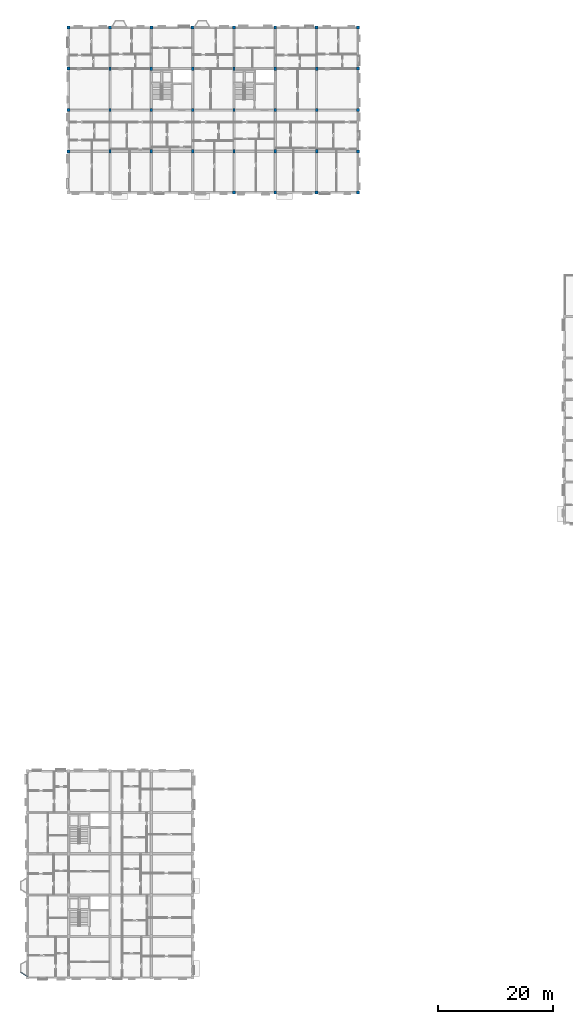
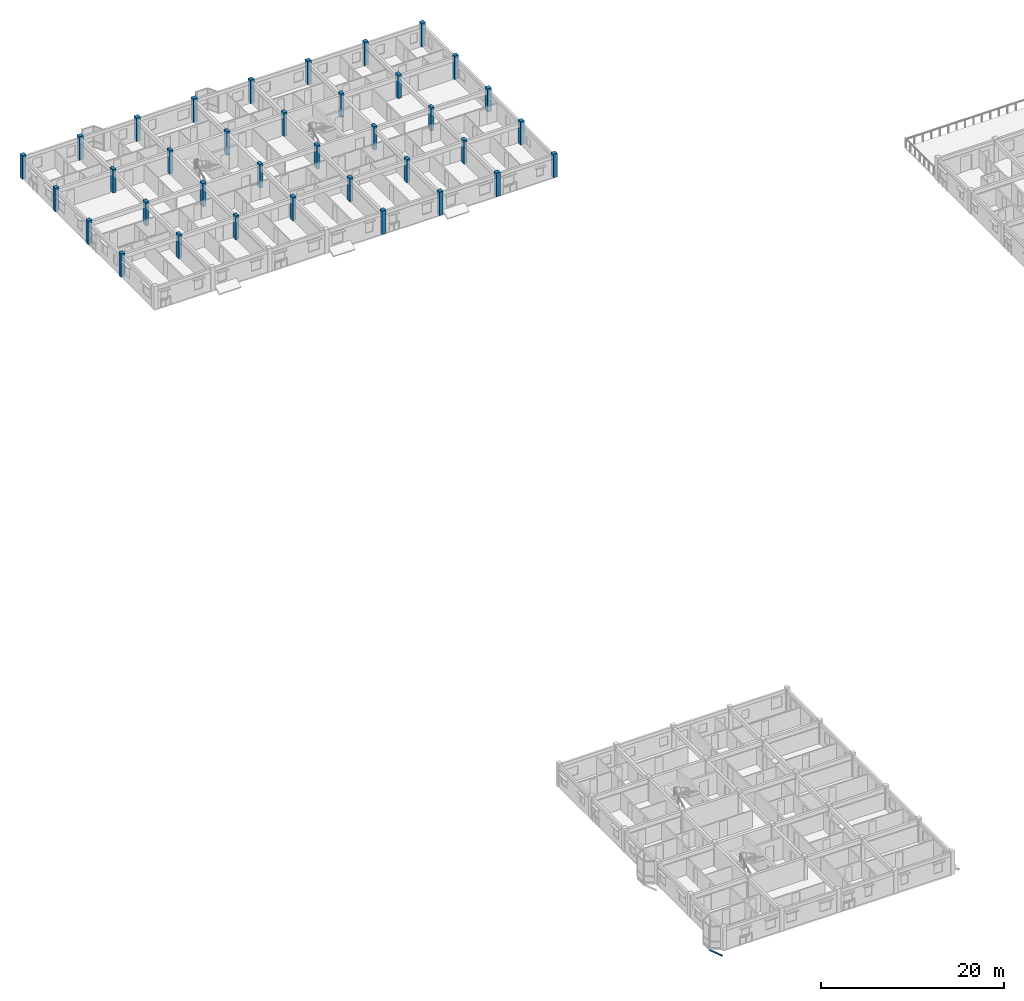
# One storey, part 2 of 38: 36 columns, 1 member.
"""IFC4 building model written with IfcOpenShell, lengths in metres."""

from ifc_helpers import new_model, si_unit, direction, frame, origin, origin_2d, place, context, subcontext, project, spatial, rectangle, hollow_rectangle, extrude, material, material_profile, profile_set, type_object, element, save


model = new_model("IFC4")

# Units and contexts
model_context = context("Model", 3, precision=1e-05, world=origin(), true_north=direction((0.0, 1.0)))
body_context = subcontext(model_context, "Body", "Model", "MODEL_VIEW")
ifc_project = project(units=[si_unit("LENGTHUNIT", "METRE"), si_unit("AREAUNIT", "SQUARE_METRE"), si_unit("VOLUMEUNIT", "CUBIC_METRE"), si_unit("PLANEANGLEUNIT", "RADIAN"), si_unit("MASSUNIT", "GRAM", prefix="KILO"), si_unit("THERMODYNAMICTEMPERATUREUNIT", "KELVIN"), si_unit("POWERUNIT", "WATT")], contexts=[model_context])

# Site, building, storey
site_placement = place(None, origin())
site = spatial("IfcSite", under=ifc_project, at=site_placement, CompositionType="ELEMENT")
building_placement = place(site_placement, origin())
building = spatial("IfcBuilding", under=site, at=building_placement, Name="Tavuni Mirador Residences", CompositionType="ELEMENT")
storey_placement = place(building_placement, frame((0.0, 0.0, 32.85009765625)))
storey = spatial("IfcBuildingStorey", under=building, at=storey_placement, Name="L10", CompositionType="ELEMENT", Elevation=32.85009765625)

# Columns
ifc_material_1 = material(Name="Precast concrete C40/50", Category="concrete")
ifc_material_profile_1 = material_profile(ifc_material_1, rectangle(XDim=0.39990234375, YDim=0.60009765625, at=origin_2d()), Name="RC 400x600", Category="concrete")
ifc_profile_set_1 = profile_set([ifc_material_profile_1], Name="Precast concrete C40/50")
column_type_1 = type_object("IfcColumnType", Name="CT-RC400X600", PredefinedType="COLUMN", material=ifc_profile_set_1)
for number, where, z_axis, x_axis, name in (
    (1, (18.0, 151.199951171875, 0.0), (0.0, 0.0, 1.0), (1.0, 0.0, 0.0), "COL-BLK-C-L10-01-01"),
    (2, (18.0, 158.39990234375, 0.0), (0.0, 0.0, 1.0), (1.0, 0.0, 0.0), "COL-BLK-C-L10-01-02"),
    (3, (18.0, 165.60009765625, 0.0), (0.0, 0.0, 1.0), (1.0, 0.0, 0.0), "COL-BLK-C-L10-01-03"),
    (4, (25.199951171875, 151.199951171875, 0.0), (0.0, 0.0, 1.0), (1.0, 0.0, 0.0), "COL-BLK-C-L10-02-01"),
    (5, (25.199951171875, 158.39990234375, 0.0), (0.0, 0.0, 1.0), (1.0, 0.0, 0.0), "COL-BLK-C-L10-02-02"),
    (6, (25.199951171875, 165.60009765625, 0.0), (0.0, 0.0, 1.0), (1.0, 0.0, 0.0), "COL-BLK-C-L10-02-03"),
    (7, (32.39990234375, 151.199951171875, 0.0), (0.0, 0.0, 1.0), (1.0, 0.0, 0.0), "COL-BLK-C-L10-03-01"),
    (8, (32.39990234375, 158.39990234375, 0.0), (0.0, 0.0, 1.0), (1.0, 0.0, 0.0), "COL-BLK-C-L10-03-02"),
    (9, (32.39990234375, 165.60009765625, 0.0), (0.0, 0.0, 1.0), (1.0, 0.0, 0.0), "COL-BLK-C-L10-03-03"),
    (10, (39.60009765625, 151.199951171875, 0.0), (0.0, 0.0, 1.0), (1.0, 0.0, 0.0), "COL-BLK-C-L10-04-01"),
    (11, (39.60009765625, 158.39990234375, 0.0), (0.0, 0.0, 1.0), (1.0, 0.0, 0.0), "COL-BLK-C-L10-04-02"),
    (12, (39.60009765625, 165.60009765625, 0.0), (0.0, 0.0, 1.0), (1.0, 0.0, 0.0), "COL-BLK-C-L10-04-03"),
    (13, (46.800048828125, 151.199951171875, 0.0), (0.0, 0.0, 1.0), (1.0, 0.0, 0.0), "COL-BLK-C-L10-05-01"),
    (14, (46.800048828125, 158.39990234375, 0.0), (0.0, 0.0, 1.0), (1.0, 0.0, 0.0), "COL-BLK-C-L10-05-02"),
    (15, (46.800048828125, 165.60009765625, 0.0), (0.0, 0.0, 1.0), (1.0, 0.0, 0.0), "COL-BLK-C-L10-05-03"),
    (16, (54.0, 151.199951171875, 0.0), (0.0, 0.0, 1.0), (1.0, 0.0, 0.0), "COL-BLK-C-L10-06-01"),
    (17, (54.0, 158.39990234375, 0.0), (0.0, 0.0, 1.0), (1.0, 0.0, 0.0), "COL-BLK-C-L10-06-02"),
    (18, (54.0, 165.60009765625, 0.0), (0.0, 0.0, 1.0), (1.0, 0.0, 0.0), "COL-BLK-C-L10-06-03"),
):
    element("IfcColumn", number, at=place(storey_placement, frame(where, z_axis=z_axis, x_axis=x_axis)), inside=storey, type_object=column_type_1, Name=name, PredefinedType="COLUMN", context=body_context, shape_type="SweptSolid", body=[
        extrude(rectangle(XDim=0.39990234375, YDim=0.60009765625, at=origin_2d()), origin(), (0.0, 0.0, 1.0), 3.14990234375),
    ])
ifc_material_profile_2 = material_profile(ifc_material_1, rectangle(XDim=0.5, YDim=0.5, at=origin_2d()), Name="RC 500x500", Category="concrete")
ifc_profile_set_2 = profile_set([ifc_material_profile_2], Name="Precast concrete C40/50")
column_type_2 = type_object("IfcColumnType", Name="CT-RC500", PredefinedType="COLUMN", material=ifc_profile_set_2)
for number, where, z_axis, x_axis, name in (
    (19, (10.800048828125, 151.199951171875, 0.0), (0.0, 0.0, 1.0), (1.0, 0.0, 0.0), "COL-BLK-C-L10-00-01"),
    (20, (10.800048828125, 158.39990234375, 0.0), (0.0, 0.0, 1.0), (1.0, 0.0, 0.0), "COL-BLK-C-L10-00-02"),
    (21, (10.800048828125, 165.60009765625, 0.0), (0.0, 0.0, 1.0), (1.0, 0.0, 0.0), "COL-BLK-C-L10-00-03"),
    (22, (10.800048828125, 172.800048828125, 0.0), (0.0, 0.0, 1.0), (1.0, 0.0, 0.0), "COL-BLK-C-L10-00-04"),
    (23, (18.0, 172.800048828125, 0.0), (0.0, 0.0, 1.0), (1.0, 0.0, 0.0), "COL-BLK-C-L10-01-04"),
    (24, (25.199951171875, 172.800048828125, 0.0), (0.0, 0.0, 1.0), (1.0, 0.0, 0.0), "COL-BLK-C-L10-02-04"),
    (25, (32.39990234375, 172.800048828125, 0.0), (0.0, 0.0, 1.0), (1.0, 0.0, 0.0), "COL-BLK-C-L10-03-04"),
    (26, (39.60009765625, 144.0, 0.0), (0.0, 0.0, 1.0), (1.0, 0.0, 0.0), "COL-BLK-C-L10-04-00"),
    (27, (39.60009765625, 172.800048828125, 0.0), (0.0, 0.0, 1.0), (1.0, 0.0, 0.0), "COL-BLK-C-L10-04-04"),
    (28, (46.800048828125, 144.0, 0.0), (0.0, 0.0, 1.0), (1.0, 0.0, 0.0), "COL-BLK-C-L10-05-00"),
    (29, (46.800048828125, 172.800048828125, 0.0), (0.0, 0.0, 1.0), (1.0, 0.0, 0.0), "COL-BLK-C-L10-05-04"),
    (30, (54.0, 144.0, 0.0), (0.0, 0.0, 1.0), (1.0, 0.0, 0.0), "COL-BLK-C-L10-06-00"),
    (31, (54.0, 172.800048828125, 0.0), (0.0, 0.0, 1.0), (1.0, 0.0, 0.0), "COL-BLK-C-L10-06-04"),
    (32, (61.199951171875, 144.0, 0.0), (0.0, 0.0, 1.0), (1.0, 0.0, 0.0), "COL-BLK-C-L10-07-00"),
    (33, (61.199951171875, 151.199951171875, 0.0), (0.0, 0.0, 1.0), (1.0, 0.0, 0.0), "COL-BLK-C-L10-07-01"),
    (34, (61.199951171875, 158.39990234375, 0.0), (0.0, 0.0, 1.0), (1.0, 0.0, 0.0), "COL-BLK-C-L10-07-02"),
    (35, (61.199951171875, 165.60009765625, 0.0), (0.0, 0.0, 1.0), (1.0, 0.0, 0.0), "COL-BLK-C-L10-07-03"),
    (36, (61.199951171875, 172.800048828125, 0.0), (0.0, 0.0, 1.0), (1.0, 0.0, 0.0), "COL-BLK-C-L10-07-04"),
):
    element("IfcColumn", number, at=place(storey_placement, frame(where, z_axis=z_axis, x_axis=x_axis)), inside=storey, type_object=column_type_2, Name=name, PredefinedType="COLUMN", context=body_context, shape_type="SweptSolid", body=[
        extrude(rectangle(XDim=0.5, YDim=0.5, at=origin_2d()), origin(), (0.0, 0.0, 1.0), 3.14990234375),
    ])

# Member
ifc_material_2 = material(Name="Structural steel S355", Category="steel")
ifc_material_profile_3 = material_profile(ifc_material_2, hollow_rectangle(XDim=0.10009765625, YDim=0.179931640625, WallThickness=0.008056640625, at=origin_2d()), Name="RHS 180x100x8.0", Category="steel")
ifc_profile_set_3 = profile_set([ifc_material_profile_3], Name="Structural steel S355")
member_type = type_object("IfcMemberType", Name="MT-BR-RHS180", PredefinedType="BRACE", material=ifc_profile_set_3)
member_placement = place(storey_placement, frame((3.60009765625, 7.449951171875, -1.050048828125), z_axis=(-0.753448798133, 0.445693471312, 0.48339656414), x_axis=(-0.50913035723, -0.860689420957, 0.0)))
element("IfcMember", 37, at=member_placement, inside=storey, type_object=member_type, Name="MBRK-MIR-A-W1-L10-1", PredefinedType="BRACE", context=body_context, shape_type="SweptSolid", body=[
    extrude(hollow_rectangle(XDim=0.10009765625, YDim=0.179931640625, WallThickness=0.008056640625, at=origin_2d()), origin(), (0.0, 0.0, 1.0), 1.593017578125),
])

save(model, "model.ifc")
